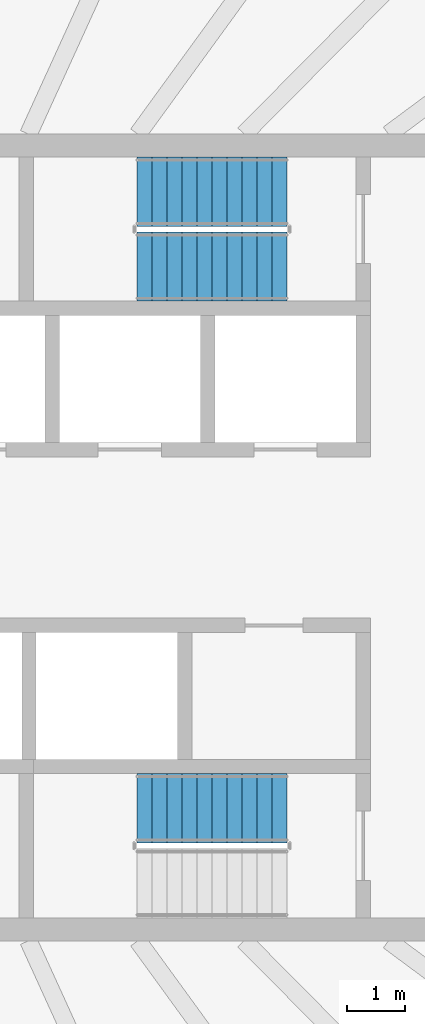
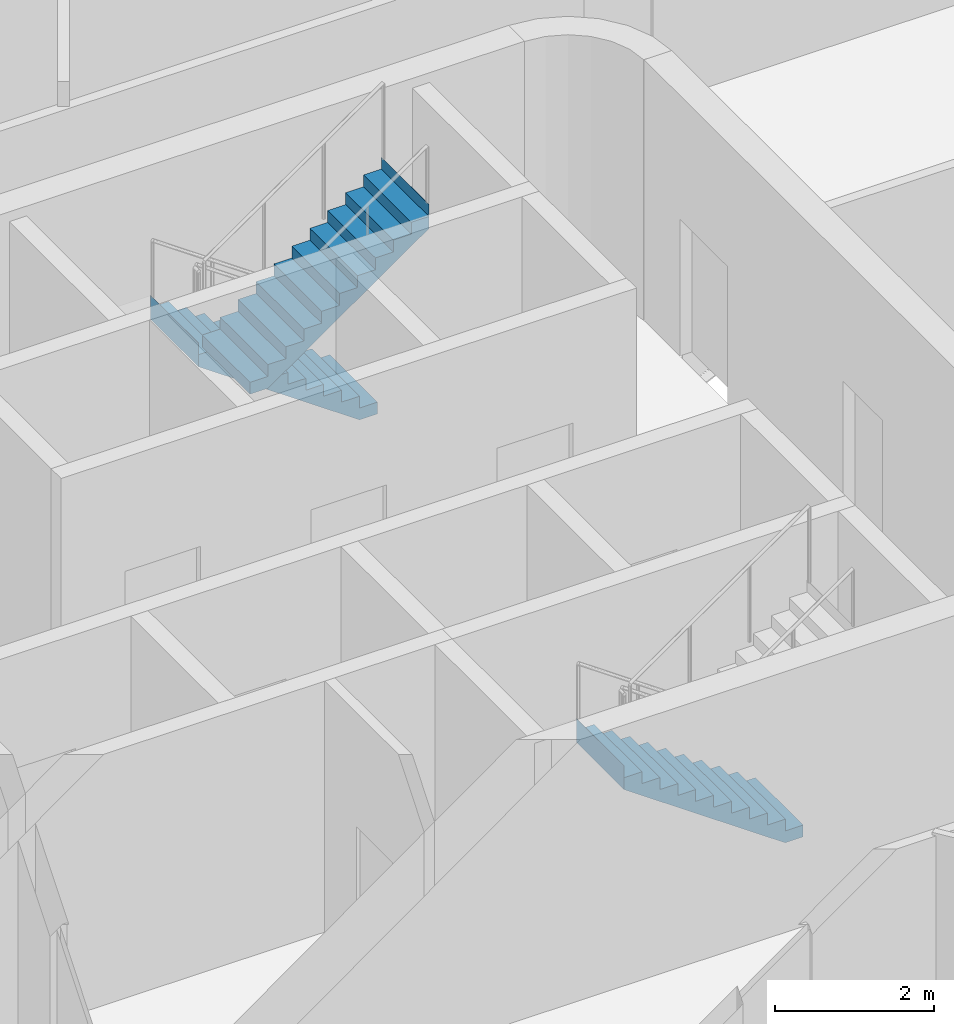
# One storey, part 17 of 23: 3 stair flights, 2 elements without a shape of their own.
"""IFC4 building model written with IfcOpenShell, lengths in metres."""

from ifc_helpers import new_model, si_unit, direction, frame, origin, place, context, subcontext, project, spatial, triangles, material, type_object, element, aggregate, save


model = new_model("IFC4")

# Units and contexts
model_context = context("Model", 3, precision=1e-05, world=origin(), true_north=direction((0.0, 1.0)))
body_context = subcontext(model_context, "Body", "Model", "MODEL_VIEW")
ifc_project = project(units=[si_unit("LENGTHUNIT", "METRE"), si_unit("AREAUNIT", "SQUARE_METRE"), si_unit("VOLUMEUNIT", "CUBIC_METRE"), si_unit("PLANEANGLEUNIT", "RADIAN"), si_unit("MASSUNIT", "GRAM", prefix="KILO")], contexts=[model_context])

# Site, building, storey
site_placement = place(None, origin())
site = spatial("IfcSite", under=ifc_project, at=site_placement, CompositionType="ELEMENT")
building_placement = place(site_placement, origin())
building = spatial("IfcBuilding", under=site, at=building_placement, Name="Sahrelin Media Tower", CompositionType="ELEMENT")
storey_placement = place(building_placement, frame((0.0, 0.0, 217.60009765625)))
storey = spatial("IfcBuildingStorey", under=building, at=storey_placement, Name="L46", CompositionType="ELEMENT", Elevation=217.60009765625)

# Stair, stair flights
ifc_material = material(Name="Concrete C40/50", Category="concrete")
stair_type = type_object("IfcStairType", Name="Exit stair 1200", PredefinedType="HALF_TURN_STAIR", material=ifc_material)
placement = place(storey_placement, origin())
stair_1 = element("IfcStair", 1, at=placement, inside=storey, type_object=stair_type, Name="L46 Exit stair ST3", PredefinedType="HALF_TURN_STAIR")
stair_flight_type = type_object("IfcStairFlightType", Name="Stair flight 1200", PredefinedType="STRAIGHT", material=ifc_material)
stair_flight_1_placement = place(storey_placement, frame((7.675048828125, 6.0, 0.0), z_axis=(0.0, 0.0, 1.0), x_axis=(-1.0, 0.0, 0.0)))
stair_flight_1 = element("IfcStairFlight", 2, at=stair_flight_1_placement, type_object=stair_flight_type, Name="ST3 flight 1", NumberOfRisers=11, NumberOfTreads=10, PredefinedType="STRAIGHT", RiserHeight=0.181818182, TreadLength=0.26, context=body_context, shape_type="Tessellation", body=[
    triangles([(0.261474609375, 0.60009765625, 0.0), (0.261474609375, 0.300048828125, 0.0), (0.261474609375, 0.0, 0.0), (0.261474609375, -0.300048828125, 0.0), (0.261474609375, -0.60009765625, 0.0), (2.60009765625, 0.60009765625, 1.63525390625), (2.60009765625, 0.300048828125, 1.63525390625), (2.60009765625, 0.0, 1.63525390625), (2.60009765625, -0.300048828125, 1.63525390625), (2.60009765625, -0.60009765625, 1.63525390625), (2.60009765625, 0.60009765625, 2.0), (2.60009765625, 0.300048828125, 2.0), (2.60009765625, 0.0, 2.0), (2.60009765625, -0.300048828125, 2.0), (2.60009765625, -0.60009765625, 2.0), (2.597900390625, 0.60009765625, 2.0), (2.597900390625, 0.300048828125, 2.0), (2.597900390625, 0.0, 2.0), (2.597900390625, -0.300048828125, 2.0), (2.597900390625, -0.60009765625, 2.0), (2.597900390625, 0.60009765625, 1.818115234375), (2.597900390625, 0.300048828125, 1.818115234375), (2.597900390625, 0.0, 1.818115234375), (2.597900390625, -0.300048828125, 1.818115234375), (2.597900390625, -0.60009765625, 1.818115234375), (2.340087890625, 0.60009765625, 1.818115234375), (2.340087890625, 0.300048828125, 1.818115234375), (2.340087890625, 0.0, 1.818115234375), (2.340087890625, -0.300048828125, 1.818115234375), (2.340087890625, -0.60009765625, 1.818115234375), (2.340087890625, 0.60009765625, 1.636474609375), (2.340087890625, 0.300048828125, 1.636474609375), (2.340087890625, 0.0, 1.636474609375), (2.340087890625, -0.300048828125, 1.636474609375), (2.340087890625, -0.60009765625, 1.636474609375), (2.080078125, 0.60009765625, 1.636474609375), (2.080078125, 0.300048828125, 1.636474609375), (2.080078125, 0.0, 1.636474609375), (2.080078125, -0.300048828125, 1.636474609375), (2.080078125, -0.60009765625, 1.636474609375), (2.080078125, 0.60009765625, 1.45458984375), (2.080078125, 0.300048828125, 1.45458984375), (2.080078125, 0.0, 1.45458984375), (2.080078125, -0.300048828125, 1.45458984375), (2.080078125, -0.60009765625, 1.45458984375), (1.820068359375, 0.60009765625, 1.45458984375), (1.820068359375, 0.300048828125, 1.45458984375), (1.820068359375, 0.0, 1.45458984375), (1.820068359375, -0.300048828125, 1.45458984375), (1.820068359375, -0.60009765625, 1.45458984375), (1.820068359375, 0.60009765625, 1.272705078125), (1.820068359375, 0.300048828125, 1.272705078125), (1.820068359375, 0.0, 1.272705078125), (1.820068359375, -0.300048828125, 1.272705078125), (1.820068359375, -0.60009765625, 1.272705078125), (1.56005859375, 0.60009765625, 1.272705078125), (1.56005859375, 0.300048828125, 1.272705078125), (1.56005859375, 0.0, 1.272705078125), (1.56005859375, -0.300048828125, 1.272705078125), (1.56005859375, -0.60009765625, 1.272705078125), (1.56005859375, 0.60009765625, 1.0908203125), (1.56005859375, 0.300048828125, 1.0908203125), (1.56005859375, 0.0, 1.0908203125), (1.56005859375, -0.300048828125, 1.0908203125), (1.56005859375, -0.60009765625, 1.0908203125), (1.300048828125, 0.60009765625, 1.0908203125), (1.300048828125, 0.300048828125, 1.0908203125), (1.300048828125, 0.0, 1.0908203125), (1.300048828125, -0.300048828125, 1.0908203125), (1.300048828125, -0.60009765625, 1.0908203125), (1.300048828125, 0.60009765625, 0.9091796875), (1.300048828125, 0.300048828125, 0.9091796875), (1.300048828125, 0.0, 0.9091796875), (1.300048828125, -0.300048828125, 0.9091796875), (1.300048828125, -0.60009765625, 0.9091796875), (1.0400390625, 0.60009765625, 0.9091796875), (1.0400390625, 0.300048828125, 0.9091796875), (1.0400390625, 0.0, 0.9091796875), (1.0400390625, -0.300048828125, 0.9091796875), (1.0400390625, -0.60009765625, 0.9091796875), (1.0400390625, 0.60009765625, 0.727294921875), (1.0400390625, 0.300048828125, 0.727294921875), (1.0400390625, 0.0, 0.727294921875), (1.0400390625, -0.300048828125, 0.727294921875), (1.0400390625, -0.60009765625, 0.727294921875), (0.780029296875, 0.60009765625, 0.727294921875), (0.780029296875, 0.300048828125, 0.727294921875), (0.780029296875, 0.0, 0.727294921875), (0.780029296875, -0.300048828125, 0.727294921875), (0.780029296875, -0.60009765625, 0.727294921875), (0.780029296875, 0.60009765625, 0.54541015625), (0.780029296875, 0.300048828125, 0.54541015625), (0.780029296875, 0.0, 0.54541015625), (0.780029296875, -0.300048828125, 0.54541015625), (0.780029296875, -0.60009765625, 0.54541015625), (0.52001953125, 0.60009765625, 0.54541015625), (0.52001953125, 0.300048828125, 0.54541015625), (0.52001953125, 0.0, 0.54541015625), (0.52001953125, -0.300048828125, 0.54541015625), (0.52001953125, -0.60009765625, 0.54541015625), (0.52001953125, 0.60009765625, 0.363525390625), (0.52001953125, 0.300048828125, 0.363525390625), (0.52001953125, 0.0, 0.363525390625), (0.52001953125, -0.300048828125, 0.363525390625), (0.52001953125, -0.60009765625, 0.363525390625), (0.260009765625, 0.60009765625, 0.363525390625), (0.260009765625, 0.300048828125, 0.363525390625), (0.260009765625, 0.0, 0.363525390625), (0.260009765625, -0.300048828125, 0.363525390625), (0.260009765625, -0.60009765625, 0.363525390625), (0.260009765625, 0.60009765625, 0.181884765625), (0.260009765625, 0.300048828125, 0.181884765625), (0.260009765625, 0.0, 0.181884765625), (0.260009765625, -0.300048828125, 0.181884765625), (0.260009765625, -0.60009765625, 0.181884765625), (0.0, 0.60009765625, 0.181884765625), (0.0, 0.300048828125, 0.181884765625), (0.0, 0.0, 0.181884765625), (0.0, -0.300048828125, 0.181884765625), (0.0, -0.60009765625, 0.181884765625), (0.0, 0.60009765625, 0.0), (0.0, 0.300048828125, 0.0), (0.0, 0.0, 0.0), (0.0, -0.300048828125, 0.0), (0.0, -0.60009765625, 0.0)], [[1, 6, 7], [1, 7, 2], [2, 7, 8], [2, 8, 3], [3, 8, 9], [3, 9, 4], [4, 9, 10], [4, 10, 5], [6, 11, 12], [6, 12, 7], [7, 12, 13], [7, 13, 8], [8, 13, 14], [8, 14, 9], [9, 14, 15], [9, 15, 10], [11, 16, 17], [11, 17, 12], [12, 17, 18], [12, 18, 13], [13, 18, 19], [13, 19, 14], [14, 19, 20], [14, 20, 15], [16, 21, 22], [16, 22, 17], [17, 22, 23], [17, 23, 18], [18, 23, 24], [18, 24, 19], [19, 24, 25], [19, 25, 20], [21, 26, 27], [21, 27, 22], [22, 27, 28], [22, 28, 23], [23, 28, 29], [23, 29, 24], [24, 29, 30], [24, 30, 25], [26, 31, 32], [26, 32, 27], [27, 32, 33], [27, 33, 28], [28, 33, 34], [28, 34, 29], [29, 34, 35], [29, 35, 30], [31, 36, 37], [31, 37, 32], [32, 37, 38], [32, 38, 33], [33, 38, 39], [33, 39, 34], [34, 39, 40], [34, 40, 35], [36, 41, 42], [36, 42, 37], [37, 42, 43], [37, 43, 38], [38, 43, 44], [38, 44, 39], [39, 44, 45], [39, 45, 40], [41, 46, 47], [41, 47, 42], [42, 47, 48], [42, 48, 43], [43, 48, 49], [43, 49, 44], [44, 49, 50], [44, 50, 45], [46, 51, 52], [46, 52, 47], [47, 52, 53], [47, 53, 48], [48, 53, 54], [48, 54, 49], [49, 54, 55], [49, 55, 50], [51, 56, 57], [51, 57, 52], [52, 57, 58], [52, 58, 53], [53, 58, 59], [53, 59, 54], [54, 59, 60], [54, 60, 55], [56, 61, 62], [56, 62, 57], [57, 62, 63], [57, 63, 58], [58, 63, 64], [58, 64, 59], [59, 64, 65], [59, 65, 60], [61, 66, 67], [61, 67, 62], [62, 67, 68], [62, 68, 63], [63, 68, 69], [63, 69, 64], [64, 69, 70], [64, 70, 65], [66, 71, 72], [66, 72, 67], [67, 72, 73], [67, 73, 68], [68, 73, 74], [68, 74, 69], [69, 74, 75], [69, 75, 70], [71, 76, 77], [71, 77, 72], [72, 77, 78], [72, 78, 73], [73, 78, 79], [73, 79, 74], [74, 79, 80], [74, 80, 75], [76, 81, 82], [76, 82, 77], [77, 82, 83], [77, 83, 78], [78, 83, 84], [78, 84, 79], [79, 84, 85], [79, 85, 80], [81, 86, 87], [81, 87, 82], [82, 87, 88], [82, 88, 83], [83, 88, 89], [83, 89, 84], [84, 89, 90], [84, 90, 85], [86, 91, 92], [86, 92, 87], [87, 92, 93], [87, 93, 88], [88, 93, 94], [88, 94, 89], [89, 94, 95], [89, 95, 90], [91, 96, 97], [91, 97, 92], [92, 97, 98], [92, 98, 93], [93, 98, 99], [93, 99, 94], [94, 99, 100], [94, 100, 95], [96, 101, 102], [96, 102, 97], [97, 102, 103], [97, 103, 98], [98, 103, 104], [98, 104, 99], [99, 104, 105], [99, 105, 100], [101, 106, 107], [101, 107, 102], [102, 107, 108], [102, 108, 103], [103, 108, 109], [103, 109, 104], [104, 109, 110], [104, 110, 105], [106, 111, 112], [106, 112, 107], [107, 112, 113], [107, 113, 108], [108, 113, 114], [108, 114, 109], [109, 114, 115], [109, 115, 110], [111, 116, 117], [111, 117, 112], [112, 117, 118], [112, 118, 113], [113, 118, 119], [113, 119, 114], [114, 119, 120], [114, 120, 115], [116, 121, 122], [116, 122, 117], [117, 122, 123], [117, 123, 118], [118, 123, 124], [118, 124, 119], [119, 124, 125], [119, 125, 120], [121, 1, 2], [121, 2, 122], [122, 2, 3], [122, 3, 123], [123, 3, 4], [123, 4, 124], [124, 4, 5], [124, 5, 125], [115, 120, 125], [111, 121, 116], [115, 105, 110], [111, 106, 101], [105, 95, 100], [101, 96, 91], [95, 85, 90], [91, 86, 81], [85, 75, 80], [81, 76, 71], [75, 65, 70], [71, 66, 61], [65, 55, 60], [61, 56, 51], [55, 45, 50], [51, 46, 41], [45, 35, 40], [41, 36, 31], [35, 25, 30], [31, 26, 21], [25, 15, 20], [21, 16, 11], [125, 5, 115], [121, 111, 1], [25, 10, 15], [21, 11, 6], [105, 115, 5], [101, 1, 111], [35, 10, 25], [31, 21, 6], [95, 105, 5], [91, 1, 101], [45, 10, 35], [41, 31, 6], [85, 95, 5], [81, 1, 91], [55, 10, 45], [51, 41, 6], [75, 85, 5], [71, 1, 81], [65, 10, 55], [61, 51, 6], [5, 10, 75], [1, 71, 6], [75, 10, 65], [71, 61, 6]], closed=True),
])
stair_flight_2_placement = place(storey_placement, frame((5.074951171875, 4.699951171875, 2.0), z_axis=(0.0, 0.0, 1.0), x_axis=(1.0, 0.0, 0.0)))
stair_flight_2 = element("IfcStairFlight", 3, at=stair_flight_2_placement, type_object=stair_flight_type, Name="ST3 flight 2", NumberOfRisers=11, NumberOfTreads=10, PredefinedType="STRAIGHT", RiserHeight=0.181818182, TreadLength=0.26, context=body_context, shape_type="Tessellation", body=[
    triangles([(0.261474609375, 0.60009765625, 0.0), (0.261474609375, 0.300048828125, 0.0), (0.261474609375, 0.0, 0.0), (0.261474609375, -0.300048828125, 0.0), (0.261474609375, -0.60009765625, 0.0), (2.60009765625, 0.60009765625, 1.63525390625), (2.60009765625, 0.300048828125, 1.63525390625), (2.60009765625, 0.0, 1.63525390625), (2.60009765625, -0.300048828125, 1.63525390625), (2.60009765625, -0.60009765625, 1.63525390625), (2.60009765625, 0.60009765625, 2.0), (2.60009765625, 0.300048828125, 2.0), (2.60009765625, 0.0, 2.0), (2.60009765625, -0.300048828125, 2.0), (2.60009765625, -0.60009765625, 2.0), (2.597900390625, 0.60009765625, 2.0), (2.597900390625, 0.300048828125, 2.0), (2.597900390625, 0.0, 2.0), (2.597900390625, -0.300048828125, 2.0), (2.597900390625, -0.60009765625, 2.0), (2.597900390625, 0.60009765625, 1.818115234375), (2.597900390625, 0.300048828125, 1.818115234375), (2.597900390625, 0.0, 1.818115234375), (2.597900390625, -0.300048828125, 1.818115234375), (2.597900390625, -0.60009765625, 1.818115234375), (2.340087890625, 0.60009765625, 1.818115234375), (2.340087890625, 0.300048828125, 1.818115234375), (2.340087890625, 0.0, 1.818115234375), (2.340087890625, -0.300048828125, 1.818115234375), (2.340087890625, -0.60009765625, 1.818115234375), (2.340087890625, 0.60009765625, 1.636474609375), (2.340087890625, 0.300048828125, 1.636474609375), (2.340087890625, 0.0, 1.636474609375), (2.340087890625, -0.300048828125, 1.636474609375), (2.340087890625, -0.60009765625, 1.636474609375), (2.080078125, 0.60009765625, 1.636474609375), (2.080078125, 0.300048828125, 1.636474609375), (2.080078125, 0.0, 1.636474609375), (2.080078125, -0.300048828125, 1.636474609375), (2.080078125, -0.60009765625, 1.636474609375), (2.080078125, 0.60009765625, 1.45458984375), (2.080078125, 0.300048828125, 1.45458984375), (2.080078125, 0.0, 1.45458984375), (2.080078125, -0.300048828125, 1.45458984375), (2.080078125, -0.60009765625, 1.45458984375), (1.820068359375, 0.60009765625, 1.45458984375), (1.820068359375, 0.300048828125, 1.45458984375), (1.820068359375, 0.0, 1.45458984375), (1.820068359375, -0.300048828125, 1.45458984375), (1.820068359375, -0.60009765625, 1.45458984375), (1.820068359375, 0.60009765625, 1.272705078125), (1.820068359375, 0.300048828125, 1.272705078125), (1.820068359375, 0.0, 1.272705078125), (1.820068359375, -0.300048828125, 1.272705078125), (1.820068359375, -0.60009765625, 1.272705078125), (1.56005859375, 0.60009765625, 1.272705078125), (1.56005859375, 0.300048828125, 1.272705078125), (1.56005859375, 0.0, 1.272705078125), (1.56005859375, -0.300048828125, 1.272705078125), (1.56005859375, -0.60009765625, 1.272705078125), (1.56005859375, 0.60009765625, 1.0908203125), (1.56005859375, 0.300048828125, 1.0908203125), (1.56005859375, 0.0, 1.0908203125), (1.56005859375, -0.300048828125, 1.0908203125), (1.56005859375, -0.60009765625, 1.0908203125), (1.300048828125, 0.60009765625, 1.0908203125), (1.300048828125, 0.300048828125, 1.0908203125), (1.300048828125, 0.0, 1.0908203125), (1.300048828125, -0.300048828125, 1.0908203125), (1.300048828125, -0.60009765625, 1.0908203125), (1.300048828125, 0.60009765625, 0.9091796875), (1.300048828125, 0.300048828125, 0.9091796875), (1.300048828125, 0.0, 0.9091796875), (1.300048828125, -0.300048828125, 0.9091796875), (1.300048828125, -0.60009765625, 0.9091796875), (1.0400390625, 0.60009765625, 0.9091796875), (1.0400390625, 0.300048828125, 0.9091796875), (1.0400390625, 0.0, 0.9091796875), (1.0400390625, -0.300048828125, 0.9091796875), (1.0400390625, -0.60009765625, 0.9091796875), (1.0400390625, 0.60009765625, 0.727294921875), (1.0400390625, 0.300048828125, 0.727294921875), (1.0400390625, 0.0, 0.727294921875), (1.0400390625, -0.300048828125, 0.727294921875), (1.0400390625, -0.60009765625, 0.727294921875), (0.780029296875, 0.60009765625, 0.727294921875), (0.780029296875, 0.300048828125, 0.727294921875), (0.780029296875, 0.0, 0.727294921875), (0.780029296875, -0.300048828125, 0.727294921875), (0.780029296875, -0.60009765625, 0.727294921875), (0.780029296875, 0.60009765625, 0.54541015625), (0.780029296875, 0.300048828125, 0.54541015625), (0.780029296875, 0.0, 0.54541015625), (0.780029296875, -0.300048828125, 0.54541015625), (0.780029296875, -0.60009765625, 0.54541015625), (0.52001953125, 0.60009765625, 0.54541015625), (0.52001953125, 0.300048828125, 0.54541015625), (0.52001953125, 0.0, 0.54541015625), (0.52001953125, -0.300048828125, 0.54541015625), (0.52001953125, -0.60009765625, 0.54541015625), (0.52001953125, 0.60009765625, 0.363525390625), (0.52001953125, 0.300048828125, 0.363525390625), (0.52001953125, 0.0, 0.363525390625), (0.52001953125, -0.300048828125, 0.363525390625), (0.52001953125, -0.60009765625, 0.363525390625), (0.260009765625, 0.60009765625, 0.363525390625), (0.260009765625, 0.300048828125, 0.363525390625), (0.260009765625, 0.0, 0.363525390625), (0.260009765625, -0.300048828125, 0.363525390625), (0.260009765625, -0.60009765625, 0.363525390625), (0.260009765625, 0.60009765625, 0.181884765625), (0.260009765625, 0.300048828125, 0.181884765625), (0.260009765625, 0.0, 0.181884765625), (0.260009765625, -0.300048828125, 0.181884765625), (0.260009765625, -0.60009765625, 0.181884765625), (0.0, 0.60009765625, 0.181884765625), (0.0, 0.300048828125, 0.181884765625), (0.0, 0.0, 0.181884765625), (0.0, -0.300048828125, 0.181884765625), (0.0, -0.60009765625, 0.181884765625), (0.0, 0.60009765625, 0.0), (0.0, 0.300048828125, 0.0), (0.0, 0.0, 0.0), (0.0, -0.300048828125, 0.0), (0.0, -0.60009765625, 0.0)], [[1, 6, 7], [1, 7, 2], [2, 7, 8], [2, 8, 3], [3, 8, 9], [3, 9, 4], [4, 9, 10], [4, 10, 5], [6, 11, 12], [6, 12, 7], [7, 12, 13], [7, 13, 8], [8, 13, 14], [8, 14, 9], [9, 14, 15], [9, 15, 10], [11, 16, 17], [11, 17, 12], [12, 17, 18], [12, 18, 13], [13, 18, 19], [13, 19, 14], [14, 19, 20], [14, 20, 15], [16, 21, 22], [16, 22, 17], [17, 22, 23], [17, 23, 18], [18, 23, 24], [18, 24, 19], [19, 24, 25], [19, 25, 20], [21, 26, 27], [21, 27, 22], [22, 27, 28], [22, 28, 23], [23, 28, 29], [23, 29, 24], [24, 29, 30], [24, 30, 25], [26, 31, 32], [26, 32, 27], [27, 32, 33], [27, 33, 28], [28, 33, 34], [28, 34, 29], [29, 34, 35], [29, 35, 30], [31, 36, 37], [31, 37, 32], [32, 37, 38], [32, 38, 33], [33, 38, 39], [33, 39, 34], [34, 39, 40], [34, 40, 35], [36, 41, 42], [36, 42, 37], [37, 42, 43], [37, 43, 38], [38, 43, 44], [38, 44, 39], [39, 44, 45], [39, 45, 40], [41, 46, 47], [41, 47, 42], [42, 47, 48], [42, 48, 43], [43, 48, 49], [43, 49, 44], [44, 49, 50], [44, 50, 45], [46, 51, 52], [46, 52, 47], [47, 52, 53], [47, 53, 48], [48, 53, 54], [48, 54, 49], [49, 54, 55], [49, 55, 50], [51, 56, 57], [51, 57, 52], [52, 57, 58], [52, 58, 53], [53, 58, 59], [53, 59, 54], [54, 59, 60], [54, 60, 55], [56, 61, 62], [56, 62, 57], [57, 62, 63], [57, 63, 58], [58, 63, 64], [58, 64, 59], [59, 64, 65], [59, 65, 60], [61, 66, 67], [61, 67, 62], [62, 67, 68], [62, 68, 63], [63, 68, 69], [63, 69, 64], [64, 69, 70], [64, 70, 65], [66, 71, 72], [66, 72, 67], [67, 72, 73], [67, 73, 68], [68, 73, 74], [68, 74, 69], [69, 74, 75], [69, 75, 70], [71, 76, 77], [71, 77, 72], [72, 77, 78], [72, 78, 73], [73, 78, 79], [73, 79, 74], [74, 79, 80], [74, 80, 75], [76, 81, 82], [76, 82, 77], [77, 82, 83], [77, 83, 78], [78, 83, 84], [78, 84, 79], [79, 84, 85], [79, 85, 80], [81, 86, 87], [81, 87, 82], [82, 87, 88], [82, 88, 83], [83, 88, 89], [83, 89, 84], [84, 89, 90], [84, 90, 85], [86, 91, 92], [86, 92, 87], [87, 92, 93], [87, 93, 88], [88, 93, 94], [88, 94, 89], [89, 94, 95], [89, 95, 90], [91, 96, 97], [91, 97, 92], [92, 97, 98], [92, 98, 93], [93, 98, 99], [93, 99, 94], [94, 99, 100], [94, 100, 95], [96, 101, 102], [96, 102, 97], [97, 102, 103], [97, 103, 98], [98, 103, 104], [98, 104, 99], [99, 104, 105], [99, 105, 100], [101, 106, 107], [101, 107, 102], [102, 107, 108], [102, 108, 103], [103, 108, 109], [103, 109, 104], [104, 109, 110], [104, 110, 105], [106, 111, 112], [106, 112, 107], [107, 112, 113], [107, 113, 108], [108, 113, 114], [108, 114, 109], [109, 114, 115], [109, 115, 110], [111, 116, 117], [111, 117, 112], [112, 117, 118], [112, 118, 113], [113, 118, 119], [113, 119, 114], [114, 119, 120], [114, 120, 115], [116, 121, 122], [116, 122, 117], [117, 122, 123], [117, 123, 118], [118, 123, 124], [118, 124, 119], [119, 124, 125], [119, 125, 120], [121, 1, 2], [121, 2, 122], [122, 2, 3], [122, 3, 123], [123, 3, 4], [123, 4, 124], [124, 4, 5], [124, 5, 125], [115, 120, 125], [111, 121, 116], [115, 105, 110], [111, 106, 101], [105, 95, 100], [101, 96, 91], [95, 85, 90], [91, 86, 81], [85, 75, 80], [81, 76, 71], [75, 65, 70], [71, 66, 61], [65, 55, 60], [61, 56, 51], [55, 45, 50], [51, 46, 41], [45, 35, 40], [41, 36, 31], [35, 25, 30], [31, 26, 21], [25, 15, 20], [21, 16, 11], [125, 5, 115], [121, 111, 1], [25, 10, 15], [21, 11, 6], [105, 115, 5], [101, 1, 111], [35, 10, 25], [31, 21, 6], [95, 105, 5], [91, 1, 101], [45, 10, 35], [41, 31, 6], [85, 95, 5], [81, 1, 91], [55, 10, 45], [51, 41, 6], [75, 85, 5], [71, 1, 81], [65, 10, 55], [61, 51, 6], [5, 10, 75], [1, 71, 6], [75, 10, 65], [71, 61, 6]], closed=True),
])
aggregate(stair_1, [stair_flight_1, stair_flight_2])

# Stair, stair flight
stair_2 = element("IfcStair", 4, at=placement, inside=storey, type_object=stair_type, Name="L46 Exit stair ST2", PredefinedType="HALF_TURN_STAIR")
stair_flight_3_placement = place(storey_placement, frame((7.675048828125, -4.699951171875, 0.0), z_axis=(0.0, 0.0, 1.0), x_axis=(-1.0, 0.0, 0.0)))
stair_flight_3 = element("IfcStairFlight", 5, at=stair_flight_3_placement, type_object=stair_flight_type, Name="ST2 flight 1", NumberOfRisers=11, NumberOfTreads=10, PredefinedType="STRAIGHT", RiserHeight=0.181818182, TreadLength=0.26, context=body_context, shape_type="Tessellation", body=[
    triangles([(0.261474609375, 0.60009765625, 0.0), (0.261474609375, 0.300048828125, 0.0), (0.261474609375, 0.0, 0.0), (0.261474609375, -0.300048828125, 0.0), (0.261474609375, -0.60009765625, 0.0), (2.60009765625, 0.60009765625, 1.63525390625), (2.60009765625, 0.300048828125, 1.63525390625), (2.60009765625, 0.0, 1.63525390625), (2.60009765625, -0.300048828125, 1.63525390625), (2.60009765625, -0.60009765625, 1.63525390625), (2.60009765625, 0.60009765625, 2.0), (2.60009765625, 0.300048828125, 2.0), (2.60009765625, 0.0, 2.0), (2.60009765625, -0.300048828125, 2.0), (2.60009765625, -0.60009765625, 2.0), (2.597900390625, 0.60009765625, 2.0), (2.597900390625, 0.300048828125, 2.0), (2.597900390625, 0.0, 2.0), (2.597900390625, -0.300048828125, 2.0), (2.597900390625, -0.60009765625, 2.0), (2.597900390625, 0.60009765625, 1.818115234375), (2.597900390625, 0.300048828125, 1.818115234375), (2.597900390625, 0.0, 1.818115234375), (2.597900390625, -0.300048828125, 1.818115234375), (2.597900390625, -0.60009765625, 1.818115234375), (2.340087890625, 0.60009765625, 1.818115234375), (2.340087890625, 0.300048828125, 1.818115234375), (2.340087890625, 0.0, 1.818115234375), (2.340087890625, -0.300048828125, 1.818115234375), (2.340087890625, -0.60009765625, 1.818115234375), (2.340087890625, 0.60009765625, 1.636474609375), (2.340087890625, 0.300048828125, 1.636474609375), (2.340087890625, 0.0, 1.636474609375), (2.340087890625, -0.300048828125, 1.636474609375), (2.340087890625, -0.60009765625, 1.636474609375), (2.080078125, 0.60009765625, 1.636474609375), (2.080078125, 0.300048828125, 1.636474609375), (2.080078125, 0.0, 1.636474609375), (2.080078125, -0.300048828125, 1.636474609375), (2.080078125, -0.60009765625, 1.636474609375), (2.080078125, 0.60009765625, 1.45458984375), (2.080078125, 0.300048828125, 1.45458984375), (2.080078125, 0.0, 1.45458984375), (2.080078125, -0.300048828125, 1.45458984375), (2.080078125, -0.60009765625, 1.45458984375), (1.820068359375, 0.60009765625, 1.45458984375), (1.820068359375, 0.300048828125, 1.45458984375), (1.820068359375, 0.0, 1.45458984375), (1.820068359375, -0.300048828125, 1.45458984375), (1.820068359375, -0.60009765625, 1.45458984375), (1.820068359375, 0.60009765625, 1.272705078125), (1.820068359375, 0.300048828125, 1.272705078125), (1.820068359375, 0.0, 1.272705078125), (1.820068359375, -0.300048828125, 1.272705078125), (1.820068359375, -0.60009765625, 1.272705078125), (1.56005859375, 0.60009765625, 1.272705078125), (1.56005859375, 0.300048828125, 1.272705078125), (1.56005859375, 0.0, 1.272705078125), (1.56005859375, -0.300048828125, 1.272705078125), (1.56005859375, -0.60009765625, 1.272705078125), (1.56005859375, 0.60009765625, 1.0908203125), (1.56005859375, 0.300048828125, 1.0908203125), (1.56005859375, 0.0, 1.0908203125), (1.56005859375, -0.300048828125, 1.0908203125), (1.56005859375, -0.60009765625, 1.0908203125), (1.300048828125, 0.60009765625, 1.0908203125), (1.300048828125, 0.300048828125, 1.0908203125), (1.300048828125, 0.0, 1.0908203125), (1.300048828125, -0.300048828125, 1.0908203125), (1.300048828125, -0.60009765625, 1.0908203125), (1.300048828125, 0.60009765625, 0.9091796875), (1.300048828125, 0.300048828125, 0.9091796875), (1.300048828125, 0.0, 0.9091796875), (1.300048828125, -0.300048828125, 0.9091796875), (1.300048828125, -0.60009765625, 0.9091796875), (1.0400390625, 0.60009765625, 0.9091796875), (1.0400390625, 0.300048828125, 0.9091796875), (1.0400390625, 0.0, 0.9091796875), (1.0400390625, -0.300048828125, 0.9091796875), (1.0400390625, -0.60009765625, 0.9091796875), (1.0400390625, 0.60009765625, 0.727294921875), (1.0400390625, 0.300048828125, 0.727294921875), (1.0400390625, 0.0, 0.727294921875), (1.0400390625, -0.300048828125, 0.727294921875), (1.0400390625, -0.60009765625, 0.727294921875), (0.780029296875, 0.60009765625, 0.727294921875), (0.780029296875, 0.300048828125, 0.727294921875), (0.780029296875, 0.0, 0.727294921875), (0.780029296875, -0.300048828125, 0.727294921875), (0.780029296875, -0.60009765625, 0.727294921875), (0.780029296875, 0.60009765625, 0.54541015625), (0.780029296875, 0.300048828125, 0.54541015625), (0.780029296875, 0.0, 0.54541015625), (0.780029296875, -0.300048828125, 0.54541015625), (0.780029296875, -0.60009765625, 0.54541015625), (0.52001953125, 0.60009765625, 0.54541015625), (0.52001953125, 0.300048828125, 0.54541015625), (0.52001953125, 0.0, 0.54541015625), (0.52001953125, -0.300048828125, 0.54541015625), (0.52001953125, -0.60009765625, 0.54541015625), (0.52001953125, 0.60009765625, 0.363525390625), (0.52001953125, 0.300048828125, 0.363525390625), (0.52001953125, 0.0, 0.363525390625), (0.52001953125, -0.300048828125, 0.363525390625), (0.52001953125, -0.60009765625, 0.363525390625), (0.260009765625, 0.60009765625, 0.363525390625), (0.260009765625, 0.300048828125, 0.363525390625), (0.260009765625, 0.0, 0.363525390625), (0.260009765625, -0.300048828125, 0.363525390625), (0.260009765625, -0.60009765625, 0.363525390625), (0.260009765625, 0.60009765625, 0.181884765625), (0.260009765625, 0.300048828125, 0.181884765625), (0.260009765625, 0.0, 0.181884765625), (0.260009765625, -0.300048828125, 0.181884765625), (0.260009765625, -0.60009765625, 0.181884765625), (0.0, 0.60009765625, 0.181884765625), (0.0, 0.300048828125, 0.181884765625), (0.0, 0.0, 0.181884765625), (0.0, -0.300048828125, 0.181884765625), (0.0, -0.60009765625, 0.181884765625), (0.0, 0.60009765625, 0.0), (0.0, 0.300048828125, 0.0), (0.0, 0.0, 0.0), (0.0, -0.300048828125, 0.0), (0.0, -0.60009765625, 0.0)], [[1, 6, 7], [1, 7, 2], [2, 7, 8], [2, 8, 3], [3, 8, 9], [3, 9, 4], [4, 9, 10], [4, 10, 5], [6, 11, 12], [6, 12, 7], [7, 12, 13], [7, 13, 8], [8, 13, 14], [8, 14, 9], [9, 14, 15], [9, 15, 10], [11, 16, 17], [11, 17, 12], [12, 17, 18], [12, 18, 13], [13, 18, 19], [13, 19, 14], [14, 19, 20], [14, 20, 15], [16, 21, 22], [16, 22, 17], [17, 22, 23], [17, 23, 18], [18, 23, 24], [18, 24, 19], [19, 24, 25], [19, 25, 20], [21, 26, 27], [21, 27, 22], [22, 27, 28], [22, 28, 23], [23, 28, 29], [23, 29, 24], [24, 29, 30], [24, 30, 25], [26, 31, 32], [26, 32, 27], [27, 32, 33], [27, 33, 28], [28, 33, 34], [28, 34, 29], [29, 34, 35], [29, 35, 30], [31, 36, 37], [31, 37, 32], [32, 37, 38], [32, 38, 33], [33, 38, 39], [33, 39, 34], [34, 39, 40], [34, 40, 35], [36, 41, 42], [36, 42, 37], [37, 42, 43], [37, 43, 38], [38, 43, 44], [38, 44, 39], [39, 44, 45], [39, 45, 40], [41, 46, 47], [41, 47, 42], [42, 47, 48], [42, 48, 43], [43, 48, 49], [43, 49, 44], [44, 49, 50], [44, 50, 45], [46, 51, 52], [46, 52, 47], [47, 52, 53], [47, 53, 48], [48, 53, 54], [48, 54, 49], [49, 54, 55], [49, 55, 50], [51, 56, 57], [51, 57, 52], [52, 57, 58], [52, 58, 53], [53, 58, 59], [53, 59, 54], [54, 59, 60], [54, 60, 55], [56, 61, 62], [56, 62, 57], [57, 62, 63], [57, 63, 58], [58, 63, 64], [58, 64, 59], [59, 64, 65], [59, 65, 60], [61, 66, 67], [61, 67, 62], [62, 67, 68], [62, 68, 63], [63, 68, 69], [63, 69, 64], [64, 69, 70], [64, 70, 65], [66, 71, 72], [66, 72, 67], [67, 72, 73], [67, 73, 68], [68, 73, 74], [68, 74, 69], [69, 74, 75], [69, 75, 70], [71, 76, 77], [71, 77, 72], [72, 77, 78], [72, 78, 73], [73, 78, 79], [73, 79, 74], [74, 79, 80], [74, 80, 75], [76, 81, 82], [76, 82, 77], [77, 82, 83], [77, 83, 78], [78, 83, 84], [78, 84, 79], [79, 84, 85], [79, 85, 80], [81, 86, 87], [81, 87, 82], [82, 87, 88], [82, 88, 83], [83, 88, 89], [83, 89, 84], [84, 89, 90], [84, 90, 85], [86, 91, 92], [86, 92, 87], [87, 92, 93], [87, 93, 88], [88, 93, 94], [88, 94, 89], [89, 94, 95], [89, 95, 90], [91, 96, 97], [91, 97, 92], [92, 97, 98], [92, 98, 93], [93, 98, 99], [93, 99, 94], [94, 99, 100], [94, 100, 95], [96, 101, 102], [96, 102, 97], [97, 102, 103], [97, 103, 98], [98, 103, 104], [98, 104, 99], [99, 104, 105], [99, 105, 100], [101, 106, 107], [101, 107, 102], [102, 107, 108], [102, 108, 103], [103, 108, 109], [103, 109, 104], [104, 109, 110], [104, 110, 105], [106, 111, 112], [106, 112, 107], [107, 112, 113], [107, 113, 108], [108, 113, 114], [108, 114, 109], [109, 114, 115], [109, 115, 110], [111, 116, 117], [111, 117, 112], [112, 117, 118], [112, 118, 113], [113, 118, 119], [113, 119, 114], [114, 119, 120], [114, 120, 115], [116, 121, 122], [116, 122, 117], [117, 122, 123], [117, 123, 118], [118, 123, 124], [118, 124, 119], [119, 124, 125], [119, 125, 120], [121, 1, 2], [121, 2, 122], [122, 2, 3], [122, 3, 123], [123, 3, 4], [123, 4, 124], [124, 4, 5], [124, 5, 125], [115, 120, 125], [111, 121, 116], [115, 105, 110], [111, 106, 101], [105, 95, 100], [101, 96, 91], [95, 85, 90], [91, 86, 81], [85, 75, 80], [81, 76, 71], [75, 65, 70], [71, 66, 61], [65, 55, 60], [61, 56, 51], [55, 45, 50], [51, 46, 41], [45, 35, 40], [41, 36, 31], [35, 25, 30], [31, 26, 21], [25, 15, 20], [21, 16, 11], [125, 5, 115], [121, 111, 1], [25, 10, 15], [21, 11, 6], [105, 115, 5], [101, 1, 111], [35, 10, 25], [31, 21, 6], [95, 105, 5], [91, 1, 101], [45, 10, 35], [41, 31, 6], [85, 95, 5], [81, 1, 91], [55, 10, 45], [51, 41, 6], [75, 85, 5], [71, 1, 81], [65, 10, 55], [61, 51, 6], [5, 10, 75], [1, 71, 6], [75, 10, 65], [71, 61, 6]], closed=True),
])
aggregate(stair_2, [stair_flight_3])

save(model, "model.ifc")
